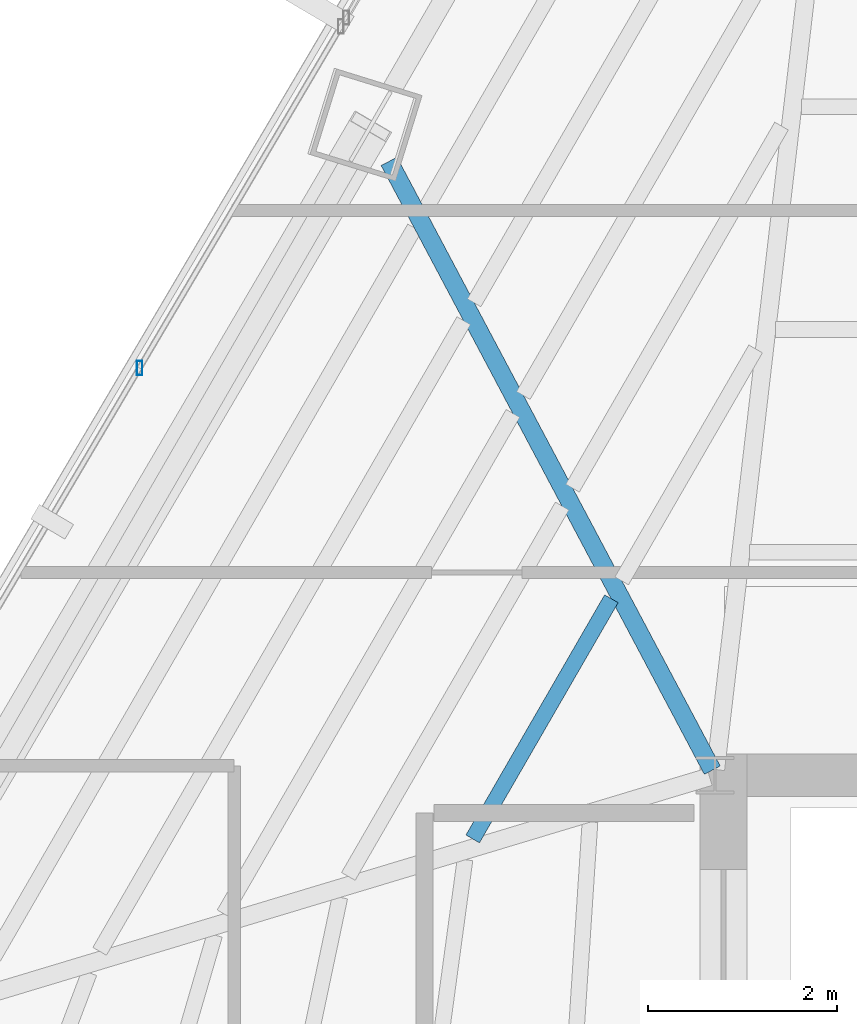
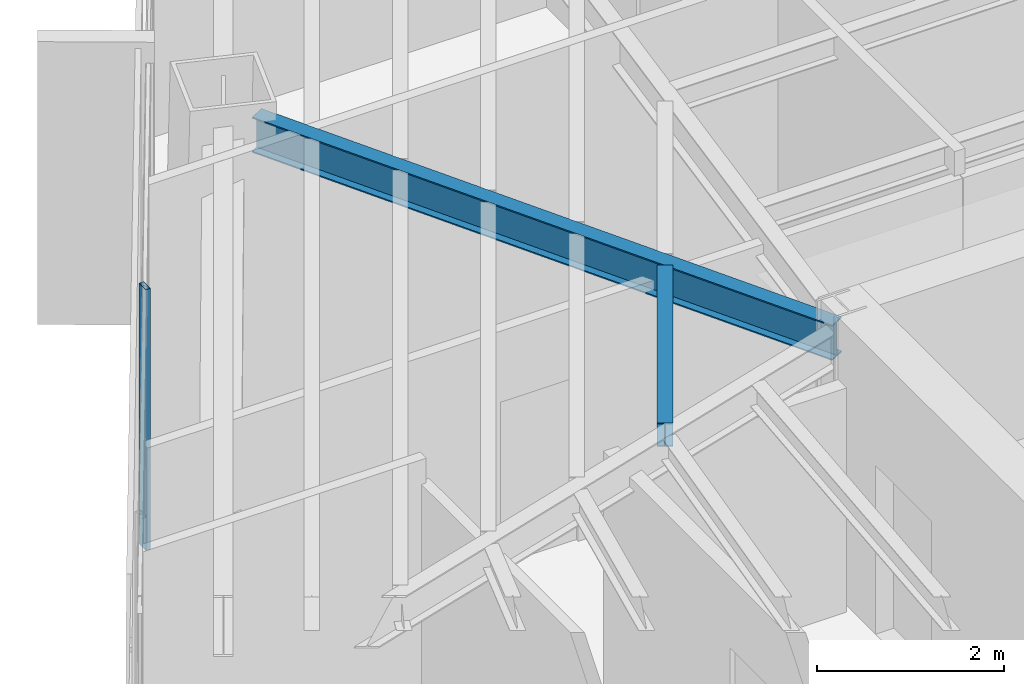
# One storey, part 15 of 41: 2 beams, 1 member, 1 element without a shape of its own.
"""IFC4 building model written with IfcOpenShell, lengths in metres."""

from ifc_helpers import new_model, si_unit, direction, frame, origin, origin_2d, place, context, subcontext, project, spatial, hollow_rectangle, i_section, extrude, source, transform, mapped, material, material_profile, profile_set, type_object, type_shapes, element, aggregate, save


model = new_model("IFC4")

# Units and contexts
model_context = context("Model", 3, precision=1e-05, world=origin(), true_north=direction((0.0, 1.0)))
body_context = subcontext(model_context, "Body", "Model", "MODEL_VIEW")
ifc_project = project(units=[si_unit("LENGTHUNIT", "METRE"), si_unit("AREAUNIT", "SQUARE_METRE"), si_unit("VOLUMEUNIT", "CUBIC_METRE"), si_unit("PLANEANGLEUNIT", "RADIAN"), si_unit("MASSUNIT", "GRAM", prefix="KILO")], contexts=[model_context])

# Site, building, storey
site_placement = place(None, origin())
site = spatial("IfcSite", under=ifc_project, at=site_placement, CompositionType="ELEMENT")
building_placement = place(site_placement, origin())
building = spatial("IfcBuilding", under=site, at=building_placement, Name="Caelisora Broadcast Tower", CompositionType="ELEMENT")
storey_placement = place(building_placement, frame((0.0, 0.0, 180.39990234375)))
storey = spatial("IfcBuildingStorey", under=building, at=storey_placement, Name="L47", CompositionType="ELEMENT", Elevation=180.39990234375)

# Beams
ifc_material_1 = material(Name="Steel Grade 350 (AS/NZS 3679.1)", Category="steel")
ifc_material_profile_1 = material_profile(ifc_material_1, i_section(OverallWidth=0.19091796875, OverallDepth=0.46044921875, WebThickness=0.010009765625, FlangeThickness=0.01611328125, at=origin_2d()), Name="Steel Grade 350 (AS/NZS 3679.1)")
ifc_profile_set_1 = profile_set([ifc_material_profile_1], Name="Steel Grade 350 (AS/NZS 3679.1)")
beam_type_1 = type_object("IfcBeamType", Name="PG06", PredefinedType="BEAM", material=ifc_profile_set_1)
shared_shape_1 = source(origin(), body_context, "Body", "SweptSolid", [
    extrude(i_section(OverallWidth=0.19091796875, OverallDepth=0.46044921875, WebThickness=0.010009765625, FlangeThickness=0.01611328125, at=origin_2d()), origin(), (0.0, 0.0, 1.0), 7.312744140625),
])
type_shapes(beam_type_1, [shared_shape_1])
beam_1_placement = place(storey_placement, frame((30.471923828125, 30.052978515625, 3.169921875), z_axis=(-0.468941215652, 0.883229379189, 0.0), x_axis=(-0.883229379189, -0.468941215652, 0.0)))
element("IfcBeam", 1, at=beam_1_placement, inside=storey, type_object=beam_type_1, Name="L47 beam PG06", PredefinedType="BEAM", context=body_context, shape_type="MappedRepresentation", body=[
    mapped(shared_shape_1, transform((0.0, 0.0, 0.0), scale=1.0)),
])
ifc_material_profile_2 = material_profile(ifc_material_1, i_section(OverallWidth=0.166015625, OverallDepth=0.30712890625, WebThickness=0.006591796875, FlangeThickness=0.01171875, at=origin_2d()), Name="Steel Grade 350 (AS/NZS 3679.1)")
ifc_profile_set_2 = profile_set([ifc_material_profile_2], Name="Steel Grade 350 (AS/NZS 3679.1)")
beam_type_2 = type_object("IfcBeamType", Name="SB03", PredefinedType="JOIST", material=ifc_profile_set_2)
shared_shape_2 = source(origin(), body_context, "Body", "SweptSolid", [
    extrude(i_section(OverallWidth=0.166015625, OverallDepth=0.30712890625, WebThickness=0.006591796875, FlangeThickness=0.01171875, at=origin_2d()), origin(), (0.0, 0.0, 1.0), 2.9423828125),
])
type_shapes(beam_type_2, [shared_shape_2])
beam_2_placement = place(storey_placement, frame((29.401123046875, 31.87158203125, 3.24658203125), z_axis=(-0.500012150126, -0.866018388792, 0.0), x_axis=(0.866018388792, -0.500012150126, 0.0)))
element("IfcBeam", 2, at=beam_2_placement, inside=storey, type_object=beam_type_2, Name="L47 beam SB03", PredefinedType="JOIST", context=body_context, shape_type="MappedRepresentation", body=[
    mapped(shared_shape_2, transform((0.0, 0.0, 0.0), scale=1.0)),
])

# Curtain wall, member
ifc_material_2 = material(Name="Unitised Aluminium Insulated Shadow-Box Spandrel Curtain Wall", Category="aluminium")
curtain_wall_type = type_object("IfcCurtainWallType", Name="CW-SP2", PredefinedType="NOTDEFINED", material=ifc_material_2)
curtain_wall_placement = place(storey_placement, origin())
curtain_wall = element("IfcCurtainWall", 3, at=curtain_wall_placement, inside=storey, type_object=curtain_wall_type, Name="L47 curtain wall CW-SP2", PredefinedType="NOTDEFINED")
ifc_material_3 = material(Name="Aluminium 6063-T6 Anodised Terracotta Bronze", Category="aluminium")
ifc_material_profile_3 = material_profile(ifc_material_3, hollow_rectangle(XDim=0.06005859375, YDim=0.14990234375, WallThickness=0.00341796875, at=origin_2d()), Name="Aluminium 6063-T6 Anodised Terracotta Bronze")
ifc_profile_set_3 = profile_set([ifc_material_profile_3], Name="Aluminium 6063-T6 Anodised Terracotta Bronze")
member_type = type_object("IfcMemberType", Name="CWM-03", PredefinedType="MULLION", material=ifc_profile_set_3)
shared_shape_3 = source(origin(), body_context, "Body", "SweptSolid", [
    extrude(hollow_rectangle(XDim=0.06005859375, YDim=0.14990234375, WallThickness=0.00341796875, at=origin_2d()), origin(), (0.0, 0.0, 1.0), 3.400146484375),
])
type_shapes(member_type, [shared_shape_3])
member_placement = place(storey_placement, frame((24.3955078125, 34.31982421875, 0.0), z_axis=(0.0, 0.0, 1.0), x_axis=(1.0, 0.0, 0.0)))
member = element("IfcMember", 4, at=member_placement, type_object=member_type, Name="L47-CW-B10 mullion #2", PredefinedType="MULLION", context=body_context, shape_type="MappedRepresentation", body=[
    mapped(shared_shape_3, transform((0.0, 0.0, 0.0), scale=1.0)),
])
aggregate(curtain_wall, [member])

save(model, "model.ifc")
